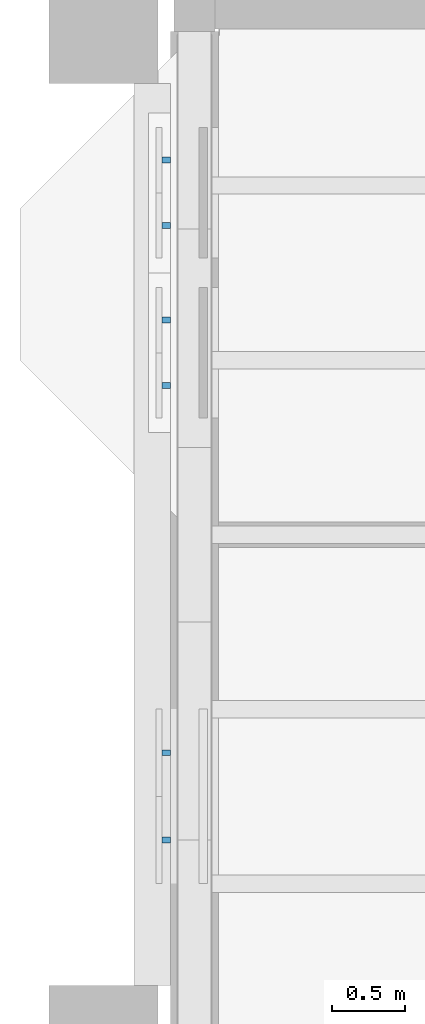
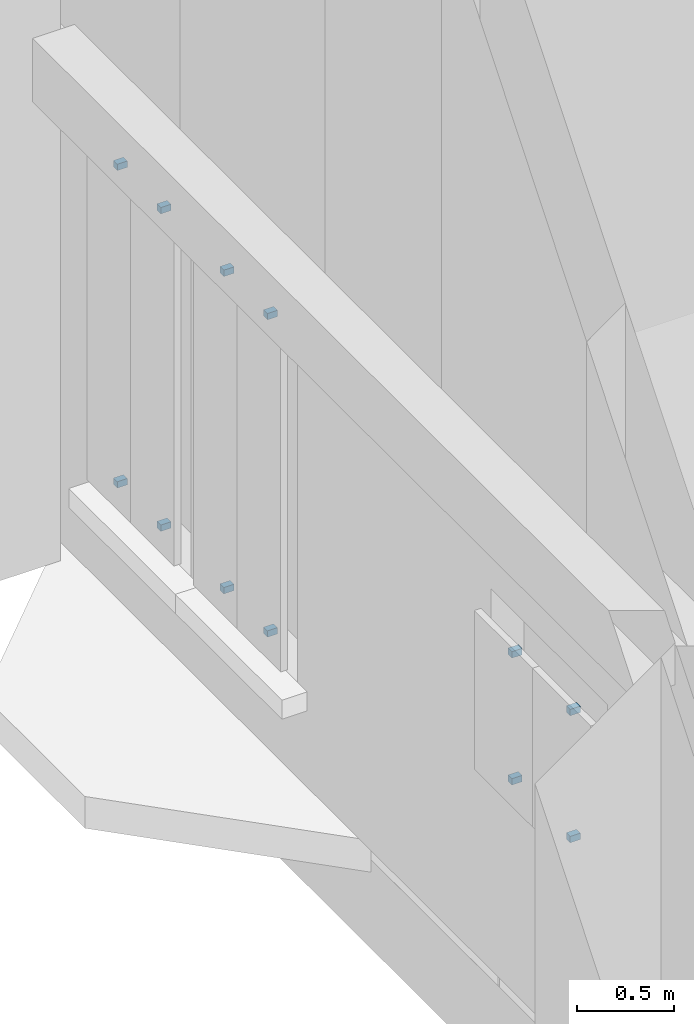
# One storey, part 43 of 51: 12 discrete accessories.
"""IFC4 building model written with IfcOpenShell, lengths in metres."""

from ifc_helpers import new_model, si_unit, direction, frame, origin, origin_2d, place, context, subcontext, project, spatial, rectangle, extrude, material, type_object, element, save


model = new_model("IFC4")

# Units and contexts
model_context = context("Model", 3, precision=1e-05, world=origin(), true_north=direction((0.0, 1.0)))
body_context = subcontext(model_context, "Body", "Model", "MODEL_VIEW")
ifc_project = project(units=[si_unit("LENGTHUNIT", "METRE"), si_unit("AREAUNIT", "SQUARE_METRE"), si_unit("VOLUMEUNIT", "CUBIC_METRE"), si_unit("PLANEANGLEUNIT", "RADIAN"), si_unit("MASSUNIT", "GRAM", prefix="KILO")], contexts=[model_context])

# Site, building, storey
site_placement = place(None, origin())
site = spatial("IfcSite", under=ifc_project, at=site_placement, CompositionType="ELEMENT")
building_placement = place(site_placement, origin())
building = spatial("IfcBuilding", under=site, at=building_placement, Name="Mazhai Court Health Centre", CompositionType="ELEMENT")
storey_placement = place(building_placement, frame((0.0, 0.0, 14.10009765625)))
storey = spatial("IfcBuildingStorey", under=building, at=storey_placement, Name="L03", CompositionType="ELEMENT", Elevation=14.10009765625)

# Discrete accessories
ifc_material = material(Name="Steel IS 2062 E250", Category="steel")
discrete_accessory_type = type_object("IfcDiscreteAccessoryType", Name="BRACKET 40", PredefinedType="BRACKET", material=ifc_material)
for number, where, z_axis, x_axis, name in (
    (1, (6.0048828125, 29.300048828125, 1.3798828125), (0.0, 0.0, 1.0), (0.0, 1.0, 0.0), "BR-V2-L03-A30a0"),
    (2, (6.0048828125, 29.300048828125, 2.179931640625), (0.0, 0.0, 1.0), (0.0, 1.0, 0.0), "BR-V2-L03-A30a1"),
    (3, (6.0048828125, 29.89990234375, 1.3798828125), (0.0, 0.0, 1.0), (0.0, 1.0, 0.0), "BR-V2-L03-A30b0"),
    (4, (6.0048828125, 29.89990234375, 2.179931640625), (0.0, 0.0, 1.0), (0.0, 1.0, 0.0), "BR-V2-L03-A30b1"),
    (5, (6.0048828125, 32.425048828125, 0.77978515625), (0.0, 0.0, 1.0), (0.0, 1.0, 0.0), "BR-V2-L03-A31aa0"),
    (6, (6.0048828125, 32.425048828125, 2.77978515625), (0.0, 0.0, 1.0), (0.0, 1.0, 0.0), "BR-V2-L03-A31aa1"),
    (7, (6.0048828125, 32.875, 0.77978515625), (0.0, 0.0, 1.0), (0.0, 1.0, 0.0), "BR-V2-L03-A31ab0"),
    (8, (6.0048828125, 32.875, 2.77978515625), (0.0, 0.0, 1.0), (0.0, 1.0, 0.0), "BR-V2-L03-A31ab1"),
    (9, (6.0048828125, 33.52490234375, 0.77978515625), (0.0, 0.0, 1.0), (0.0, 1.0, 0.0), "BR-V2-L03-A31ba0"),
    (10, (6.0048828125, 33.52490234375, 2.77978515625), (0.0, 0.0, 1.0), (0.0, 1.0, 0.0), "BR-V2-L03-A31ba1"),
    (11, (6.0048828125, 33.97509765625, 0.77978515625), (0.0, 0.0, 1.0), (0.0, 1.0, 0.0), "BR-V2-L03-A31bb0"),
    (12, (6.0048828125, 33.97509765625, 2.77978515625), (0.0, 0.0, 1.0), (0.0, 1.0, 0.0), "BR-V2-L03-A31bb1"),
):
    element("IfcDiscreteAccessory", number, at=place(storey_placement, frame(where, z_axis=z_axis, x_axis=x_axis)), inside=storey, type_object=discrete_accessory_type, Name=name, PredefinedType="BRACKET", context=body_context, shape_type="SweptSolid", body=[
        extrude(rectangle(XDim=0.0400390625, YDim=0.06005859375, at=origin_2d()), origin(), (0.0, 0.0, 1.0), 0.0400390625),
    ])

save(model, "model.ifc")
